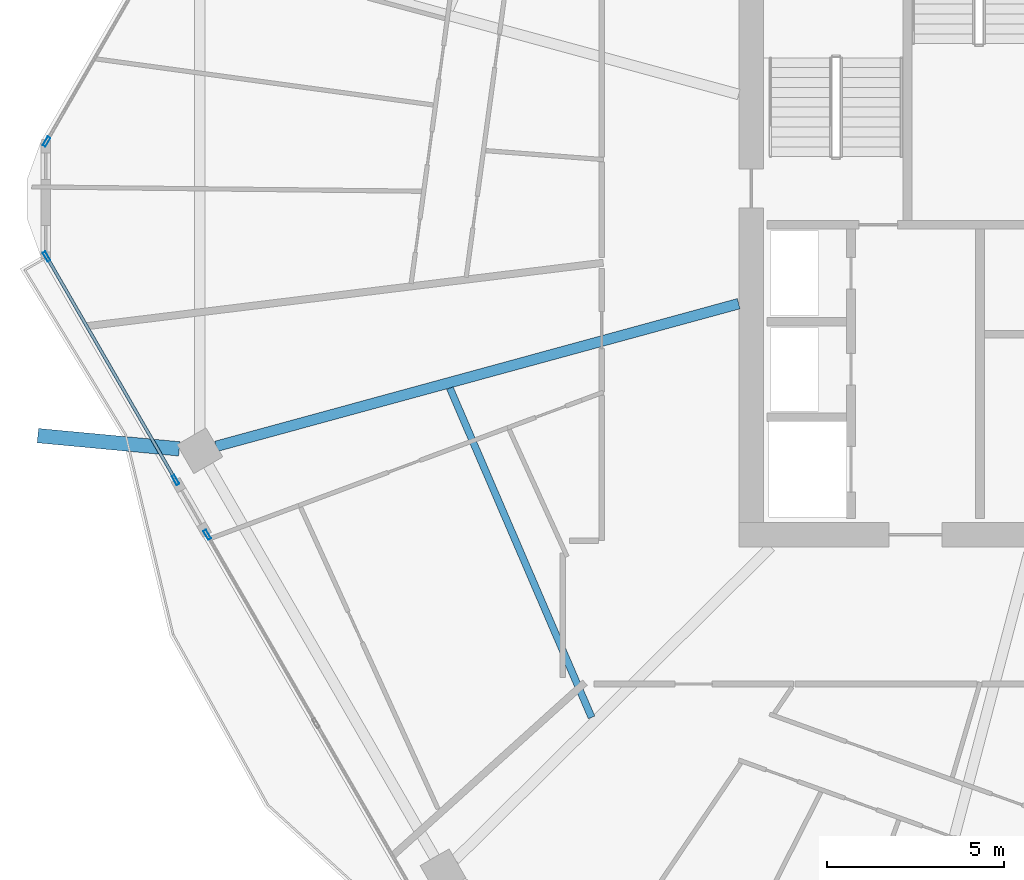
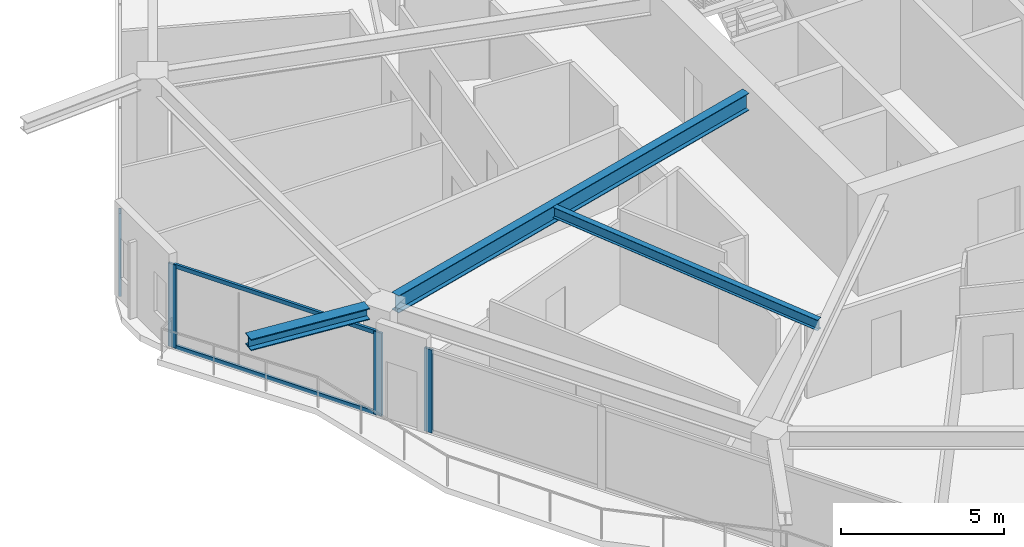
# One storey, part 5 of 26: 6 members, 3 beams, 3 elements without a shape of their own.
"""IFC4 building model written with IfcOpenShell, lengths in metres."""

from ifc_helpers import new_model, si_unit, direction, frame, origin, origin_2d, place, context, subcontext, project, spatial, hollow_rectangle, i_section, extrude, material, material_profile, profile_set, type_object, element, aggregate, save


model = new_model("IFC4")

# Units and contexts
model_context = context("Model", 3, precision=1e-05, world=origin(), true_north=direction((0.0, 1.0)))
body_context = subcontext(model_context, "Body", "Model", "MODEL_VIEW")
ifc_project = project(units=[si_unit("LENGTHUNIT", "METRE"), si_unit("AREAUNIT", "SQUARE_METRE"), si_unit("VOLUMEUNIT", "CUBIC_METRE"), si_unit("PLANEANGLEUNIT", "RADIAN"), si_unit("MASSUNIT", "GRAM", prefix="KILO")], contexts=[model_context])

# Site, building, storey
site_placement = place(None, origin())
site = spatial("IfcSite", under=ifc_project, at=site_placement, CompositionType="ELEMENT")
building_placement = place(site_placement, origin())
building = spatial("IfcBuilding", under=site, at=building_placement, Name="Zuhravey Tower", CompositionType="ELEMENT")
storey_placement = place(building_placement, frame((0.0, 0.0, 203.60009765625)))
storey = spatial("IfcBuildingStorey", under=building, at=storey_placement, Name="L51", CompositionType="ELEMENT", Elevation=203.60009765625)

# Curtain wall, member
ifc_material_1 = material(Name="Thermally broken anodised aluminium", Category="aluminium")
curtain_wall_type = type_object("IfcCurtainWallType", Name="Zone 1-2 Residential Curtain Wall CW3", PredefinedType="NOTDEFINED", material=ifc_material_1)
curtain_wall_1_placement = place(storey_placement, origin())
curtain_wall_1 = element("IfcCurtainWall", 1, at=curtain_wall_1_placement, inside=storey, type_object=curtain_wall_type, Name="L51 CW3 CW-L51-F4-1", PredefinedType="NOTDEFINED")
ifc_material_2 = material(Name="Anodised aluminium", Category="aluminium")
ifc_material_profile_1 = material_profile(ifc_material_2, hollow_rectangle(XDim=0.090087890625, YDim=0.284912109375, WallThickness=0.0048828125, at=origin_2d()), Name="ALU-RHS-90x285x5")
ifc_profile_set_1 = profile_set([ifc_material_profile_1], Name="Anodised aluminium")
member_type_1 = type_object("IfcMemberType", Name="Curtain-Wall Mullion 90x180", PredefinedType="MULLION", material=ifc_profile_set_1)
member_1_placement = place(storey_placement, frame((10.098388671875, 22.49658203125, 0.0), z_axis=(0.0, 0.0, 1.0), x_axis=(-0.866025285861, -0.500000204249, 0.0)))
member_1 = element("IfcMember", 2, at=member_1_placement, type_object=member_type_1, Name="CW3 mullion 4", PredefinedType="MULLION", context=body_context, shape_type="SweptSolid", body=[
    extrude(hollow_rectangle(XDim=0.090087890625, YDim=0.284912109375, WallThickness=0.0048828125, at=origin_2d()), origin(), (0.0, 0.0, 1.0), 3.121826171875),
])
aggregate(curtain_wall_1, [member_1])

# Curtain wall, members
curtain_wall_2_placement = place(storey_placement, origin())
curtain_wall_2 = element("IfcCurtainWall", 3, at=curtain_wall_2_placement, inside=storey, type_object=curtain_wall_type, Name="L51 CW3 CW-L51-F4-2", PredefinedType="NOTDEFINED")
member_2_placement = place(storey_placement, frame((9.20361328125, 24.046630859375, 0.0), z_axis=(0.0, 0.0, 1.0), x_axis=(-0.866026165175, -0.499998681231, 0.0)))
member_2 = element("IfcMember", 4, at=member_2_placement, type_object=member_type_1, Name="CW3 mullion 1", PredefinedType="MULLION", context=body_context, shape_type="SweptSolid", body=[
    extrude(hollow_rectangle(XDim=0.090087890625, YDim=0.284912109375, WallThickness=0.0048828125, at=origin_2d()), origin(), (0.0, 0.0, 1.0), 3.121826171875),
])
member_3_placement = place(storey_placement, frame((5.55078125, 30.37353515625, 0.0), z_axis=(0.0, 0.0, 1.0), x_axis=(-0.866026165175, -0.499998681231, 0.0)))
member_3 = element("IfcMember", 5, at=member_3_placement, type_object=member_type_1, Name="CW3 mullion 2", PredefinedType="MULLION", context=body_context, shape_type="SweptSolid", body=[
    extrude(hollow_rectangle(XDim=0.090087890625, YDim=0.284912109375, WallThickness=0.0048828125, at=origin_2d()), origin(), (0.0, 0.0, 1.0), 3.121826171875),
])

# Curtain wall, member
curtain_wall_3_placement = place(storey_placement, origin())
curtain_wall_3 = element("IfcCurtainWall", 6, at=curtain_wall_3_placement, inside=storey, type_object=curtain_wall_type, Name="L51 CW3 CW-L51-F3-1", PredefinedType="NOTDEFINED")
member_4_placement = place(storey_placement, frame((5.55078125, 33.62646484375, 0.0), z_axis=(0.0, 0.0, 1.0), x_axis=(-0.866025138215, 0.500000459979, 0.0)))
member_4 = element("IfcMember", 7, at=member_4_placement, type_object=member_type_1, Name="CW3 mullion 1", PredefinedType="MULLION", context=body_context, shape_type="SweptSolid", body=[
    extrude(hollow_rectangle(XDim=0.090087890625, YDim=0.284912109375, WallThickness=0.0048828125, at=origin_2d()), origin(), (0.0, 0.0, 1.0), 3.121826171875),
])
aggregate(curtain_wall_3, [member_4])

# Member
ifc_material_profile_2 = material_profile(ifc_material_2, hollow_rectangle(XDim=0.090087890625, YDim=0.14990234375, WallThickness=0.0048828125, at=origin_2d()), Name="ALU-RHS-90x150x5")
ifc_profile_set_2 = profile_set([ifc_material_profile_2], Name="Anodised aluminium")
member_type_2 = type_object("IfcMemberType", Name="Curtain-Wall Transom 90x150", PredefinedType="USERDEFINED", material=ifc_profile_set_2)
member_5_placement = place(storey_placement, frame((9.180908203125, 24.085693359375, 0.044921875), z_axis=(-0.499992890897, 0.866029508188, 0.0), x_axis=(-0.866029508188, -0.499992890897, 0.0)))
member_5 = element("IfcMember", 8, at=member_5_placement, type_object=member_type_2, Name="CW3 transom 1.1", ObjectType="TRANSOM", PredefinedType="USERDEFINED", context=body_context, shape_type="SweptSolid", body=[
    extrude(hollow_rectangle(XDim=0.090087890625, YDim=0.14990234375, WallThickness=0.0048828125, at=origin_2d()), origin(), (0.0, 0.0, 1.0), 7.21533203125),
])

member_6_placement = place(storey_placement, frame((9.180908203125, 24.085693359375, 3.076904296875), z_axis=(-0.499992890897, 0.866029508188, 0.0), x_axis=(-0.866029508188, -0.499992890897, 0.0)))
member_6 = element("IfcMember", 9, at=member_6_placement, type_object=member_type_2, Name="CW3 transom 1.2", ObjectType="TRANSOM", PredefinedType="USERDEFINED", context=body_context, shape_type="SweptSolid", body=[
    extrude(hollow_rectangle(XDim=0.090087890625, YDim=0.14990234375, WallThickness=0.0048828125, at=origin_2d()), origin(), (0.0, 0.0, 1.0), 7.21533203125),
])

aggregate(curtain_wall_2, [member_2, member_3, member_5, member_6])

# Beams
ifc_material_3 = material(Name="Steel SM460", Category="steel")
ifc_material_profile_3 = material_profile(ifc_material_3, i_section(OverallWidth=0.406982421875, OverallDepth=0.427978515625, WebThickness=0.02001953125, FlangeThickness=0.034912109375, at=origin_2d()), Name="H-428x407x20x35")
ifc_profile_set_3 = profile_set([ifc_material_profile_3], Name="Steel SM460")
beam_type_1 = type_object("IfcBeamType", Name="Exoskeleton Node Tie Beam H428x407", PredefinedType="BEAM", material=ifc_profile_set_3)
beam_1_placement = place(storey_placement, frame((9.30859375, 24.927978515625, 3.3359375), z_axis=(-0.995662575361, 0.0930378204, 0.0), x_axis=(-0.0930378204, -0.995662575361, 0.0)))
element("IfcBeam", 10, at=beam_1_placement, inside=storey, type_object=beam_type_1, Name="L51 Exoskeleton Node Tie NT1-07", PredefinedType="BEAM", context=body_context, shape_type="SweptSolid", body=[
    extrude(i_section(OverallWidth=0.406982421875, OverallDepth=0.427978515625, WebThickness=0.02001953125, FlangeThickness=0.034912109375, at=origin_2d()), origin(), (0.0, 0.0, 1.0), 4.02001953125),
])
ifc_material_4 = material(Name="Steel SM355", Category="steel")
ifc_material_profile_4 = material_profile(ifc_material_4, i_section(OverallWidth=0.300048828125, OverallDepth=0.64990234375, WebThickness=0.012939453125, FlangeThickness=0.02197265625, at=origin_2d()), Name="H-650x300x13x22")
ifc_profile_set_4 = profile_set([ifc_material_profile_4], Name="Steel SM355")
beam_type_2 = type_object("IfcBeamType", Name="Radial Primary Girder H650x300", PredefinedType="BEAM", material=ifc_profile_set_4)
beam_2_placement = place(storey_placement, frame((25.14697265625, 29.03759765625, 3.224853515625), z_axis=(-0.964701703464, -0.263345065139, 0.0), x_axis=(0.263345065139, -0.964701703464, 0.0)))
element("IfcBeam", 11, at=beam_2_placement, inside=storey, type_object=beam_type_2, Name="L51 RG2 BM-L51-RAD-07", PredefinedType="BEAM", context=body_context, shape_type="SweptSolid", body=[
    extrude(i_section(OverallWidth=0.300048828125, OverallDepth=0.64990234375, WebThickness=0.012939453125, FlangeThickness=0.02197265625, at=origin_2d()), origin(), (0.0, 0.0, 1.0), 15.334716796875),
])
ifc_material_profile_5 = material_profile(ifc_material_4, i_section(OverallWidth=0.199951171875, OverallDepth=0.39990234375, WebThickness=0.008056640625, FlangeThickness=0.012939453125, at=origin_2d()), Name="H-400x200x8x13")
ifc_profile_set_5 = profile_set([ifc_material_profile_5], Name="Steel SM355")
beam_type_3 = type_object("IfcBeamType", Name="Secondary Floor Joist H400x200", PredefinedType="JOIST", material=ifc_profile_set_5)
beam_3_placement = place(storey_placement, frame((16.970458984375, 26.6474609375, 3.349853515625), z_axis=(0.395265853487, -0.918566766799, 0.0), x_axis=(0.918566766799, 0.395265853487, 0.0)))
element("IfcBeam", 12, at=beam_3_placement, inside=storey, type_object=beam_type_3, Name="L51 SJ2 BM-L51-SJ-07-1", PredefinedType="JOIST", context=body_context, shape_type="SweptSolid", body=[
    extrude(i_section(OverallWidth=0.199951171875, OverallDepth=0.39990234375, WebThickness=0.008056640625, FlangeThickness=0.012939453125, at=origin_2d()), origin(), (0.0, 0.0, 1.0), 10.150146484375),
])

save(model, "model.ifc")
